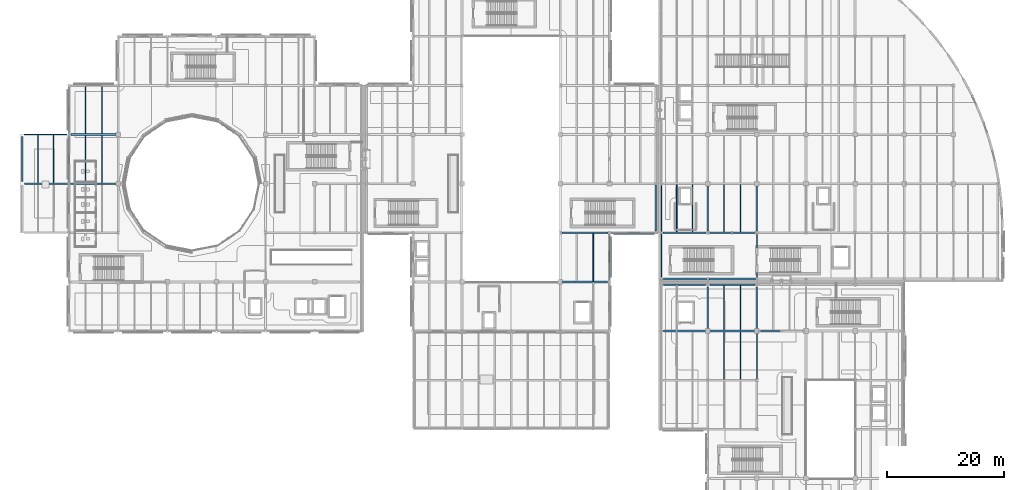
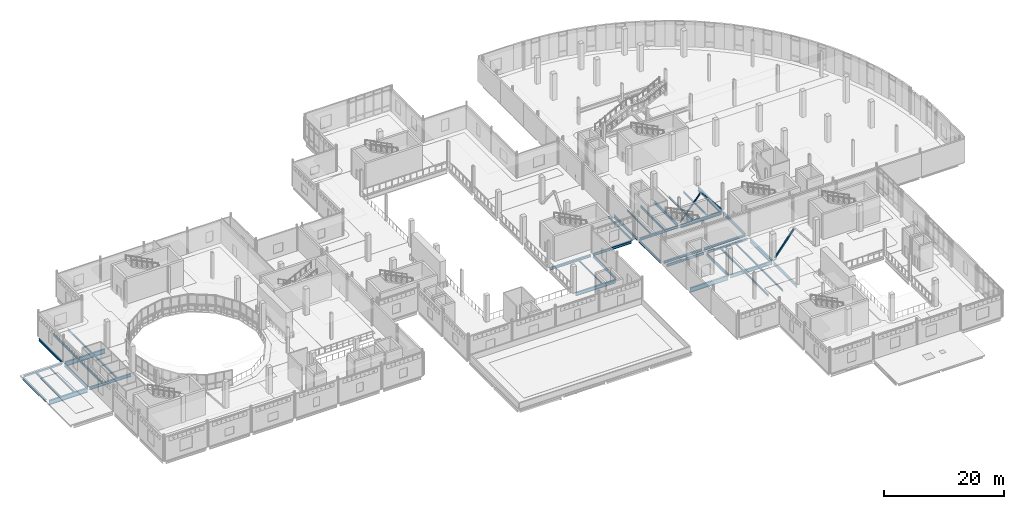
# One storey, part 20 of 110: 43 beams, 3 members.
"""IFC4 building model written with IfcOpenShell, lengths in metres."""

from ifc_helpers import new_model, si_unit, direction, frame, origin, origin_2d, place, context, subcontext, project, spatial, hollow_rectangle, i_section, extrude, material, material_profile, profile_set, type_object, element, save


model = new_model("IFC4")

# Units and contexts
model_context = context("Model", 3, precision=1e-05, world=origin(), true_north=direction((0.0, 1.0)))
body_context = subcontext(model_context, "Body", "Model", "MODEL_VIEW")
ifc_project = project(units=[si_unit("LENGTHUNIT", "METRE"), si_unit("AREAUNIT", "SQUARE_METRE"), si_unit("VOLUMEUNIT", "CUBIC_METRE"), si_unit("PLANEANGLEUNIT", "RADIAN"), si_unit("MASSUNIT", "GRAM", prefix="KILO"), si_unit("THERMODYNAMICTEMPERATUREUNIT", "KELVIN")], contexts=[model_context])

# Site, building, storey
site_placement = place(None, origin())
site = spatial("IfcSite", under=ifc_project, at=site_placement, CompositionType="ELEMENT")
building_placement = place(site_placement, origin())
building = spatial("IfcBuilding", under=site, at=building_placement, Name="Lustrewick Department Store", CompositionType="ELEMENT")
storey_placement = place(building_placement, frame((0.0, 0.0, 6.0)))
storey = spatial("IfcBuildingStorey", under=building, at=storey_placement, Name="L02", CompositionType="ELEMENT", Elevation=6.0)

# Beams
ifc_material_1 = material(Name="Structural steel Q355B", Category="steel")
ifc_material_profile_1 = material_profile(ifc_material_1, i_section(OverallWidth=0.199951171875, OverallDepth=0.5, WebThickness=0.010009765625, FlangeThickness=0.01611328125, FilletRadius=0.01611328125, at=origin_2d()), Name="HN 500x200x10x16")
ifc_profile_set_1 = profile_set([ifc_material_profile_1], Name="Structural steel Q355B")
beam_type_1 = type_object("IfcBeamType", Name="B01", PredefinedType="JOIST", material=ifc_profile_set_1)
beam_1_placement = place(storey_placement, frame((11.199951171875, 67.35107421875, -0.5048828125), z_axis=(0.0, 1.0, 0.0), x_axis=(-1.0, 0.0, 0.0)))
element("IfcBeam", 1, at=beam_1_placement, inside=storey, type_object=beam_type_1, Name="L02 V1 Secondary Joist B01", PredefinedType="JOIST", context=body_context, shape_type="SweptSolid", body=[
    extrude(i_section(OverallWidth=0.199951171875, OverallDepth=0.5, WebThickness=0.010009765625, FlangeThickness=0.01611328125, FilletRadius=0.01611328125, at=origin_2d()), origin(), (0.0, 0.0, 1.0), 8.097900390625),
])
beam_2_placement = place(storey_placement, frame((11.199951171875, 75.7509765625, -0.5048828125), z_axis=(0.0, 1.0, 0.0), x_axis=(-1.0, 0.0, 0.0)))
element("IfcBeam", 2, at=beam_2_placement, inside=storey, type_object=beam_type_1, Name="L02 V1 Secondary Joist B01", PredefinedType="JOIST", context=body_context, shape_type="SweptSolid", body=[
    extrude(i_section(OverallWidth=0.199951171875, OverallDepth=0.5, WebThickness=0.010009765625, FlangeThickness=0.01611328125, FilletRadius=0.01611328125, at=origin_2d()), origin(), (0.0, 0.0, 1.0), 8.09912109375),
])
ifc_material_profile_2 = material_profile(ifc_material_1, i_section(OverallWidth=0.198974609375, OverallDepth=0.49609375, WebThickness=0.009033203125, FlangeThickness=0.013916015625, FilletRadius=0.01611328125, at=origin_2d()), Name="HN 496x199x9x14")
ifc_profile_set_2 = profile_set([ifc_material_profile_2], Name="Structural steel Q355B")
beam_type_2 = type_object("IfcBeamType", Name="B02", PredefinedType="JOIST", material=ifc_profile_set_2)
beam_3_placement = place(storey_placement, frame((114.966796875, 58.949951171875, -0.5029296875), z_axis=(0.0, 1.0, 0.0), x_axis=(-1.0, 0.0, 0.0)))
element("IfcBeam", 3, at=beam_3_placement, inside=storey, type_object=beam_type_2, Name="L02 V4 Secondary Joist B02", PredefinedType="JOIST", context=body_context, shape_type="SweptSolid", body=[
    extrude(i_section(OverallWidth=0.198974609375, OverallDepth=0.49609375, WebThickness=0.009033203125, FlangeThickness=0.013916015625, FilletRadius=0.01611328125, at=origin_2d()), origin(), (0.0, 0.0, 1.0), 8.10009765625),
])
ifc_material_profile_3 = material_profile(ifc_material_1, i_section(OverallWidth=0.199951171875, OverallDepth=0.39990234375, WebThickness=0.008056640625, FlangeThickness=0.012939453125, FilletRadius=0.013916015625, at=origin_2d()), Name="HN 400x200x8x13")
ifc_profile_set_3 = profile_set([ifc_material_profile_3], Name="Structural steel Q355B")
beam_type_3 = type_object("IfcBeamType", Name="B05", PredefinedType="JOIST", material=ifc_profile_set_3)
beam_4_placement = place(storey_placement, frame((14.0, 67.35107421875, -0.455078125), z_axis=(0.0, 1.0, 0.0), x_axis=(-1.0, 0.0, 0.0)))
element("IfcBeam", 4, at=beam_4_placement, inside=storey, type_object=beam_type_3, Name="L02 V1 Secondary Joist B05", PredefinedType="JOIST", context=body_context, shape_type="SweptSolid", body=[
    extrude(i_section(OverallWidth=0.199951171875, OverallDepth=0.39990234375, WebThickness=0.008056640625, FlangeThickness=0.012939453125, FilletRadius=0.013916015625, at=origin_2d()), origin(), (0.0, 0.0, 1.0), 8.097900390625),
])
beam_5_placement = place(storey_placement, frame((14.0, 75.7509765625, -0.455078125), z_axis=(0.0, 1.0, 0.0), x_axis=(-1.0, 0.0, 0.0)))
element("IfcBeam", 5, at=beam_5_placement, inside=storey, type_object=beam_type_3, Name="L02 V1 Secondary Joist B05", PredefinedType="JOIST", context=body_context, shape_type="SweptSolid", body=[
    extrude(i_section(OverallWidth=0.199951171875, OverallDepth=0.39990234375, WebThickness=0.008056640625, FlangeThickness=0.012939453125, FilletRadius=0.013916015625, at=origin_2d()), origin(), (0.0, 0.0, 1.0), 8.09912109375),
])
ifc_material_profile_4 = material_profile(ifc_material_1, i_section(OverallWidth=0.198974609375, OverallDepth=0.39599609375, WebThickness=0.007080078125, FlangeThickness=0.010986328125, FilletRadius=0.013916015625, at=origin_2d()), Name="HN 396x199x7x11")
ifc_profile_set_4 = profile_set([ifc_material_profile_4], Name="Structural steel Q355B")
beam_type_4 = type_object("IfcBeamType", Name="B06", PredefinedType="JOIST", material=ifc_profile_set_4)
beam_6_placement = place(storey_placement, frame((3.066650390625, 67.35009765625, -0.452880859375), z_axis=(0.0, 1.0, 0.0), x_axis=(-1.0, 0.0, 0.0)))
element("IfcBeam", 6, at=beam_6_placement, inside=storey, type_object=beam_type_4, Name="L02 V1 Secondary Joist B06", PredefinedType="JOIST", context=body_context, shape_type="SweptSolid", body=[
    extrude(i_section(OverallWidth=0.198974609375, OverallDepth=0.39599609375, WebThickness=0.007080078125, FlangeThickness=0.010986328125, FilletRadius=0.013916015625, at=origin_2d()), origin(), (0.0, 0.0, 1.0), 8.14990234375),
])
beam_7_placement = place(storey_placement, frame((120.39990234375, 33.75, -0.452880859375), z_axis=(0.0, 1.0, 0.0), x_axis=(-1.0, 0.0, 0.0)))
element("IfcBeam", 7, at=beam_7_placement, inside=storey, type_object=beam_type_4, Name="L02 V3 Secondary Joist B06", PredefinedType="JOIST", context=body_context, shape_type="SweptSolid", body=[
    extrude(i_section(OverallWidth=0.198974609375, OverallDepth=0.39599609375, WebThickness=0.007080078125, FlangeThickness=0.010986328125, FilletRadius=0.013916015625, at=origin_2d()), origin(), (0.0, 0.0, 1.0), 8.10009765625),
])
beam_8_placement = place(storey_placement, frame((120.39990234375, 42.14990234375, -0.452880859375), z_axis=(0.0, 1.0, 0.0), x_axis=(-1.0, 0.0, 0.0)))
element("IfcBeam", 8, at=beam_8_placement, inside=storey, type_object=beam_type_4, Name="L02 V3 Secondary Joist B06", PredefinedType="JOIST", context=body_context, shape_type="SweptSolid", body=[
    extrude(i_section(OverallWidth=0.198974609375, OverallDepth=0.39599609375, WebThickness=0.007080078125, FlangeThickness=0.010986328125, FilletRadius=0.013916015625, at=origin_2d()), origin(), (0.0, 0.0, 1.0), 7.649658203125),
])
beam_9_placement = place(storey_placement, frame((120.39990234375, 58.949951171875, -0.452880859375), z_axis=(0.0, 1.0, 0.0), x_axis=(-1.0, 0.0, 0.0)))
element("IfcBeam", 9, at=beam_9_placement, inside=storey, type_object=beam_type_4, Name="L02 V4 Secondary Joist B06", PredefinedType="JOIST", context=body_context, shape_type="SweptSolid", body=[
    extrude(i_section(OverallWidth=0.198974609375, OverallDepth=0.39599609375, WebThickness=0.007080078125, FlangeThickness=0.010986328125, FilletRadius=0.013916015625, at=origin_2d()), origin(), (0.0, 0.0, 1.0), 8.10009765625),
])
ifc_material_profile_5 = material_profile(ifc_material_1, i_section(OverallWidth=0.174072265625, OverallDepth=0.345947265625, WebThickness=0.006103515625, FlangeThickness=0.009033203125, FilletRadius=0.012939453125, at=origin_2d()), Name="HN 346x174x6x9")
ifc_profile_set_5 = profile_set([ifc_material_profile_5], Name="Structural steel Q355B")
beam_type_5 = type_object("IfcBeamType", Name="B10", PredefinedType="JOIST", material=ifc_profile_set_5)
beam_10_placement = place(storey_placement, frame((5.7333984375, 67.35009765625, -0.427978515625), z_axis=(0.0, 1.0, 0.0), x_axis=(-1.0, 0.0, 0.0)))
element("IfcBeam", 10, at=beam_10_placement, inside=storey, type_object=beam_type_5, Name="L02 V1 Secondary Joist B10", PredefinedType="JOIST", context=body_context, shape_type="SweptSolid", body=[
    extrude(i_section(OverallWidth=0.174072265625, OverallDepth=0.345947265625, WebThickness=0.006103515625, FlangeThickness=0.009033203125, FilletRadius=0.012939453125, at=origin_2d()), origin(), (0.0, 0.0, 1.0), 8.14990234375),
])
beam_11_placement = place(storey_placement, frame((123.199951171875, 33.75, -0.427978515625), z_axis=(0.0, 1.0, 0.0), x_axis=(-1.0, 0.0, 0.0)))
element("IfcBeam", 11, at=beam_11_placement, inside=storey, type_object=beam_type_5, Name="L02 V3 Secondary Joist B10", PredefinedType="JOIST", context=body_context, shape_type="SweptSolid", body=[
    extrude(i_section(OverallWidth=0.174072265625, OverallDepth=0.345947265625, WebThickness=0.006103515625, FlangeThickness=0.009033203125, FilletRadius=0.012939453125, at=origin_2d()), origin(), (0.0, 0.0, 1.0), 8.10009765625),
])
beam_12_placement = place(storey_placement, frame((123.199951171875, 42.14990234375, -0.427978515625), z_axis=(0.0, 1.0, 0.0), x_axis=(-1.0, 0.0, 0.0)))
element("IfcBeam", 12, at=beam_12_placement, inside=storey, type_object=beam_type_5, Name="L02 V3 Secondary Joist B10", PredefinedType="JOIST", context=body_context, shape_type="SweptSolid", body=[
    extrude(i_section(OverallWidth=0.174072265625, OverallDepth=0.345947265625, WebThickness=0.006103515625, FlangeThickness=0.009033203125, FilletRadius=0.012939453125, at=origin_2d()), origin(), (0.0, 0.0, 1.0), 7.649658203125),
])
beam_13_placement = place(storey_placement, frame((123.199951171875, 58.949951171875, -0.427978515625), z_axis=(0.0, 1.0, 0.0), x_axis=(-1.0, 0.0, 0.0)))
element("IfcBeam", 13, at=beam_13_placement, inside=storey, type_object=beam_type_5, Name="L02 V4 Secondary Joist B10", PredefinedType="JOIST", context=body_context, shape_type="SweptSolid", body=[
    extrude(i_section(OverallWidth=0.174072265625, OverallDepth=0.345947265625, WebThickness=0.006103515625, FlangeThickness=0.009033203125, FilletRadius=0.012939453125, at=origin_2d()), origin(), (0.0, 0.0, 1.0), 8.10009765625),
])
ifc_material_profile_6 = material_profile(ifc_material_1, i_section(OverallWidth=0.14990234375, OverallDepth=0.300048828125, WebThickness=0.006591796875, FlangeThickness=0.009033203125, FilletRadius=0.011962890625, at=origin_2d()), Name="HN 300x150x6.5x9")
ifc_profile_set_6 = profile_set([ifc_material_profile_6], Name="Structural steel Q355B")
beam_type_6 = type_object("IfcBeamType", Name="B11", PredefinedType="JOIST", material=ifc_profile_set_6)
beam_14_placement = place(storey_placement, frame((98.0, 50.550048828125, -0.405029296875), z_axis=(0.0, 1.0, 0.0), x_axis=(-1.0, 0.0, 0.0)))
element("IfcBeam", 14, at=beam_14_placement, inside=storey, type_object=beam_type_6, Name="L02 V2 Secondary Joist B11", PredefinedType="JOIST", context=body_context, shape_type="SweptSolid", body=[
    extrude(i_section(OverallWidth=0.14990234375, OverallDepth=0.300048828125, WebThickness=0.006591796875, FlangeThickness=0.009033203125, FilletRadius=0.011962890625, at=origin_2d()), origin(), (0.0, 0.0, 1.0), 8.099853515625),
])
beam_15_placement = place(storey_placement, frame((112.333251953125, 58.949951171875, -0.405029296875), z_axis=(0.0, 1.0, 0.0), x_axis=(-1.0, 0.0, 0.0)))
element("IfcBeam", 15, at=beam_15_placement, inside=storey, type_object=beam_type_6, Name="L02 V4 Secondary Joist B11", PredefinedType="JOIST", context=body_context, shape_type="SweptSolid", body=[
    extrude(i_section(OverallWidth=0.14990234375, OverallDepth=0.300048828125, WebThickness=0.006591796875, FlangeThickness=0.009033203125, FilletRadius=0.011962890625, at=origin_2d()), origin(), (0.0, 0.0, 1.0), 8.10009765625),
])

# Members
ifc_material_2 = material(Name="Structural steel Q355C", Category="steel")
ifc_material_profile_7 = material_profile(ifc_material_2, hollow_rectangle(XDim=0.25, YDim=0.25, WallThickness=0.010009765625, at=origin_2d()), Name="SHS 250x250x10")
ifc_profile_set_7 = profile_set([ifc_material_profile_7], Name="Structural steel Q355C")
member_type_1 = type_object("IfcMemberType", Name="BR07", PredefinedType="BRACE", material=ifc_profile_set_7)
member_1_placement = place(storey_placement, frame((126.39990234375, 42.0, 0.14990234375), z_axis=(0.623069333518, 0.0, 0.782166609892), x_axis=(0.0, 1.0, 0.0)))
element("IfcMember", 16, at=member_1_placement, inside=storey, type_object=member_type_1, Name="L02 V3 Chevron Brace BR07", PredefinedType="BRACE", context=body_context, shape_type="SweptSolid", body=[
    extrude(hollow_rectangle(XDim=0.25, YDim=0.25, WallThickness=0.010009765625, at=origin_2d()), origin(), (0.0, 0.0, 1.0), 5.938720703125),
])
ifc_material_profile_8 = material_profile(ifc_material_1, hollow_rectangle(XDim=0.199951171875, YDim=0.199951171875, WallThickness=0.010009765625, at=origin_2d()), Name="SHS 200x200x10")
ifc_profile_set_8 = profile_set([ifc_material_profile_8], Name="Structural steel Q355B")
member_type_2 = type_object("IfcMemberType", Name="BR09", PredefinedType="BRACE", material=ifc_profile_set_8)
member_2_placement = place(storey_placement, frame((117.802490234375, 58.800048828125, 0.14990234375), z_axis=(0.642770843687, 0.0, 0.76605851115), x_axis=(0.0, 1.0, 0.0)))
element("IfcMember", 17, at=member_2_placement, inside=storey, type_object=member_type_2, Name="L02 V4 Chevron Brace BR09", PredefinedType="BRACE", context=body_context, shape_type="SweptSolid", body=[
    extrude(hollow_rectangle(XDim=0.199951171875, YDim=0.199951171875, WallThickness=0.010009765625, at=origin_2d()), origin(), (0.0, 0.0, 1.0), 6.0634765625),
])
member_3_placement = place(storey_placement, frame((125.797607421875, 58.800048828125, 0.14990234375), z_axis=(-0.642794471389, 0.0, 0.766038685415), x_axis=(0.0, -1.0, 0.0)))
element("IfcMember", 18, at=member_3_placement, inside=storey, type_object=member_type_2, Name="L02 V4 Chevron Brace BR09", PredefinedType="BRACE", context=body_context, shape_type="SweptSolid", body=[
    extrude(hollow_rectangle(XDim=0.199951171875, YDim=0.199951171875, WallThickness=0.010009765625, at=origin_2d()), origin(), (0.0, 0.0, 1.0), 6.063720703125),
])

# Beams
ifc_material_profile_9 = material_profile(ifc_material_2, i_section(OverallWidth=0.302001953125, OverallDepth=0.912109375, WebThickness=0.01806640625, FlangeThickness=0.033935546875, FilletRadius=0.02392578125, at=origin_2d()), Name="HN 912x302x18x34")
ifc_profile_set_9 = profile_set([ifc_material_profile_9], Name="Structural steel Q355C")
beam_type_7 = type_object("IfcBeamType", Name="G01", PredefinedType="BEAM", material=ifc_profile_set_9)
beam_16_placement = place(storey_placement, frame((8.72509765625, 75.60009765625, -0.7109375), z_axis=(1.0, 0.0, 0.0), x_axis=(0.0, 1.0, 0.0)))
element("IfcBeam", 19, at=beam_16_placement, inside=storey, type_object=beam_type_7, Name="L02 V1 Girder G01", PredefinedType="BEAM", context=body_context, shape_type="SweptSolid", body=[
    extrude(i_section(OverallWidth=0.302001953125, OverallDepth=0.912109375, WebThickness=0.01806640625, FlangeThickness=0.033935546875, FilletRadius=0.02392578125, at=origin_2d()), origin(), (0.0, 0.0, 1.0), 7.6748046875),
])
beam_17_placement = place(storey_placement, frame((110.02490234375, 42.0, -0.7109375), z_axis=(1.0, 0.0, 0.0), x_axis=(0.0, 1.0, 0.0)))
element("IfcBeam", 20, at=beam_17_placement, inside=storey, type_object=beam_type_7, Name="L02 V3 Girder G01", PredefinedType="BEAM", context=body_context, shape_type="SweptSolid", body=[
    extrude(i_section(OverallWidth=0.302001953125, OverallDepth=0.912109375, WebThickness=0.01806640625, FlangeThickness=0.033935546875, FilletRadius=0.02392578125, at=origin_2d()), origin(), (0.0, 0.0, 1.0), 7.375),
])
ifc_material_profile_10 = material_profile(ifc_material_2, i_section(OverallWidth=0.300048828125, OverallDepth=0.89990234375, WebThickness=0.01611328125, FlangeThickness=0.028076171875, FilletRadius=0.02392578125, at=origin_2d()), Name="HN 900x300x16x28")
ifc_profile_set_10 = profile_set([ifc_material_profile_10], Name="Structural steel Q355C")
beam_type_8 = type_object("IfcBeamType", Name="G02", PredefinedType="BEAM", material=ifc_profile_set_10)
beam_18_placement = place(storey_placement, frame((0.75, 67.199951171875, -0.705078125), z_axis=(1.0, 0.0, 0.0), x_axis=(0.0, 1.0, 0.0)))
element("IfcBeam", 21, at=beam_18_placement, inside=storey, type_object=beam_type_8, Name="L02 V1 Girder G02", PredefinedType="BEAM", context=body_context, shape_type="SweptSolid", body=[
    extrude(i_section(OverallWidth=0.300048828125, OverallDepth=0.89990234375, WebThickness=0.01611328125, FlangeThickness=0.028076171875, FilletRadius=0.02392578125, at=origin_2d()), origin(), (0.0, 0.0, 1.0), 7.449951171875),
])
ifc_material_profile_11 = material_profile(ifc_material_1, i_section(OverallWidth=0.300048828125, OverallDepth=0.800048828125, WebThickness=0.013916015625, FlangeThickness=0.02587890625, FilletRadius=0.02197265625, at=origin_2d()), Name="HN 800x300x14x26")
ifc_profile_set_11 = profile_set([ifc_material_profile_11], Name="Structural steel Q355B")
beam_type_9 = type_object("IfcBeamType", Name="G05", PredefinedType="BEAM", material=ifc_profile_set_11)
beam_19_placement = place(storey_placement, frame((126.0, 42.199951171875, -0.655029296875), z_axis=(0.0, 1.0, 0.0), x_axis=(-1.0, 0.0, 0.0)))
element("IfcBeam", 22, at=beam_19_placement, inside=storey, type_object=beam_type_9, Name="L02 V3 Girder G05", PredefinedType="BEAM", context=body_context, shape_type="SweptSolid", body=[
    extrude(i_section(OverallWidth=0.300048828125, OverallDepth=0.800048828125, WebThickness=0.013916015625, FlangeThickness=0.02587890625, FilletRadius=0.02197265625, at=origin_2d()), origin(), (0.0, 0.0, 1.0), 7.35009765625),
])
beam_20_placement = place(storey_placement, frame((126.0, 59.10009765625, -0.655029296875), z_axis=(0.0, 1.0, 0.0), x_axis=(-1.0, 0.0, 0.0)))
element("IfcBeam", 23, at=beam_20_placement, inside=storey, type_object=beam_type_9, Name="L02 V4 Girder G05", PredefinedType="BEAM", context=body_context, shape_type="SweptSolid", body=[
    extrude(i_section(OverallWidth=0.300048828125, OverallDepth=0.800048828125, WebThickness=0.013916015625, FlangeThickness=0.02587890625, FilletRadius=0.02197265625, at=origin_2d()), origin(), (0.0, 0.0, 1.0), 7.89990234375),
])
ifc_material_profile_12 = material_profile(ifc_material_1, i_section(OverallWidth=0.300048828125, OverallDepth=0.699951171875, WebThickness=0.012939453125, FlangeThickness=0.02392578125, FilletRadius=0.02001953125, at=origin_2d()), Name="HN 700x300x13x24")
ifc_profile_set_12 = profile_set([ifc_material_profile_12], Name="Structural steel Q355B")
beam_type_10 = type_object("IfcBeamType", Name="G08", PredefinedType="BEAM", material=ifc_profile_set_12)
beam_21_placement = place(storey_placement, frame((117.89990234375, 58.800048828125, -0.60498046875), z_axis=(1.0, 0.0, 0.0), x_axis=(0.0, 1.0, 0.0)))
element("IfcBeam", 24, at=beam_21_placement, inside=storey, type_object=beam_type_10, Name="L02 V4 Girder G08", PredefinedType="BEAM", context=body_context, shape_type="SweptSolid", body=[
    extrude(i_section(OverallWidth=0.300048828125, OverallDepth=0.699951171875, WebThickness=0.012939453125, FlangeThickness=0.02392578125, FilletRadius=0.02001953125, at=origin_2d()), origin(), (0.0, 0.0, 1.0), 7.800048828125),
])
ifc_material_profile_13 = material_profile(ifc_material_1, i_section(OverallWidth=0.300048828125, OverallDepth=0.69189453125, WebThickness=0.012939453125, FlangeThickness=0.02001953125, FilletRadius=0.02001953125, at=origin_2d()), Name="HN 692x300x13x20")
ifc_profile_set_13 = profile_set([ifc_material_profile_13], Name="Structural steel Q355B")
beam_type_11 = type_object("IfcBeamType", Name="G09", PredefinedType="BEAM", material=ifc_profile_set_13)
beam_22_placement = place(storey_placement, frame((92.800048828125, 50.39990234375, -0.60107421875), z_axis=(1.0, 0.0, 0.0), x_axis=(0.0, 1.0, 0.0)))
element("IfcBeam", 25, at=beam_22_placement, inside=storey, type_object=beam_type_11, Name="L02 V2 Girder G09", PredefinedType="BEAM", context=body_context, shape_type="SweptSolid", body=[
    extrude(i_section(OverallWidth=0.300048828125, OverallDepth=0.69189453125, WebThickness=0.012939453125, FlangeThickness=0.02001953125, FilletRadius=0.02001953125, at=origin_2d()), origin(), (0.0, 0.0, 1.0), 7.675048828125),
])
beam_23_placement = place(storey_placement, frame((117.800048828125, 42.0, -0.60107421875), z_axis=(1.0, 0.0, 0.0), x_axis=(0.0, 1.0, 0.0)))
element("IfcBeam", 26, at=beam_23_placement, inside=storey, type_object=beam_type_11, Name="L02 V3 Girder G09", PredefinedType="BEAM", context=body_context, shape_type="SweptSolid", body=[
    extrude(i_section(OverallWidth=0.300048828125, OverallDepth=0.69189453125, WebThickness=0.012939453125, FlangeThickness=0.02001953125, FilletRadius=0.02001953125, at=origin_2d()), origin(), (0.0, 0.0, 1.0), 8.0),
])
ifc_material_profile_14 = material_profile(ifc_material_1, i_section(OverallWidth=0.302001953125, OverallDepth=0.593994140625, WebThickness=0.013916015625, FlangeThickness=0.02294921875, FilletRadius=0.02392578125, at=origin_2d()), Name="HM 594x302x14x23")
ifc_profile_set_14 = profile_set([ifc_material_profile_14], Name="Structural steel Q355B")
beam_type_12 = type_object("IfcBeamType", Name="G10", PredefinedType="BEAM", material=ifc_profile_set_14)
beam_24_placement = place(storey_placement, frame((8.60009765625, 67.199951171875, -0.552001953125), z_axis=(1.0, 0.0, 0.0), x_axis=(0.0, 1.0, 0.0)))
element("IfcBeam", 27, at=beam_24_placement, inside=storey, type_object=beam_type_12, Name="L02 V1 Girder G10", PredefinedType="BEAM", context=body_context, shape_type="SweptSolid", body=[
    extrude(i_section(OverallWidth=0.302001953125, OverallDepth=0.593994140625, WebThickness=0.013916015625, FlangeThickness=0.02294921875, FilletRadius=0.02392578125, at=origin_2d()), origin(), (0.0, 0.0, 1.0), 8.0),
])
ifc_material_profile_15 = material_profile(ifc_material_1, i_section(OverallWidth=0.200927734375, OverallDepth=0.60595703125, WebThickness=0.011962890625, FlangeThickness=0.02001953125, FilletRadius=0.01806640625, at=origin_2d()), Name="HN 606x201x12x20")
ifc_profile_set_15 = profile_set([ifc_material_profile_15], Name="Structural steel Q355B")
beam_type_13 = type_object("IfcBeamType", Name="G13", PredefinedType="BEAM", material=ifc_profile_set_15)
beam_25_placement = place(storey_placement, frame((117.60009765625, 59.10009765625, -0.55810546875), z_axis=(0.0, 1.0, 0.0), x_axis=(-1.0, 0.0, 0.0)))
element("IfcBeam", 28, at=beam_25_placement, inside=storey, type_object=beam_type_13, Name="L02 V4 Girder G13", PredefinedType="BEAM", context=body_context, shape_type="SweptSolid", body=[
    extrude(i_section(OverallWidth=0.200927734375, OverallDepth=0.60595703125, WebThickness=0.011962890625, FlangeThickness=0.02001953125, FilletRadius=0.01806640625, at=origin_2d()), origin(), (0.0, 0.0, 1.0), 7.89990234375),
])
ifc_material_profile_16 = material_profile(ifc_material_1, i_section(OverallWidth=0.199951171875, OverallDepth=0.60009765625, WebThickness=0.010986328125, FlangeThickness=0.01708984375, FilletRadius=0.01806640625, at=origin_2d()), Name="HN 600x200x11x17")
ifc_profile_set_16 = profile_set([ifc_material_profile_16], Name="Structural steel Q355B")
beam_type_14 = type_object("IfcBeamType", Name="G14", PredefinedType="BEAM", material=ifc_profile_set_16)
beam_26_placement = place(storey_placement, frame((117.60009765625, 42.199951171875, -0.554931640625), z_axis=(0.0, 1.0, 0.0), x_axis=(-1.0, 0.0, 0.0)))
element("IfcBeam", 29, at=beam_26_placement, inside=storey, type_object=beam_type_14, Name="L02 V3 Girder G14", PredefinedType="BEAM", context=body_context, shape_type="SweptSolid", body=[
    extrude(i_section(OverallWidth=0.199951171875, OverallDepth=0.60009765625, WebThickness=0.010986328125, FlangeThickness=0.01708984375, FilletRadius=0.01806640625, at=origin_2d()), origin(), (0.0, 0.0, 1.0), 7.35009765625),
])
beam_27_placement = place(storey_placement, frame((126.0, 33.806884765625, -0.554931640625), z_axis=(0.0, 1.0, 0.0), x_axis=(-1.0, 0.0, 0.0)))
element("IfcBeam", 30, at=beam_27_placement, inside=storey, type_object=beam_type_14, Name="L02 V3 Girder G14", PredefinedType="BEAM", context=body_context, shape_type="SweptSolid", body=[
    extrude(i_section(OverallWidth=0.199951171875, OverallDepth=0.60009765625, WebThickness=0.010986328125, FlangeThickness=0.01708984375, FilletRadius=0.01806640625, at=origin_2d()), origin(), (0.0, 0.0, 1.0), 7.9931640625),
])
beam_28_placement = place(storey_placement, frame((126.0, 51.12841796875, -0.554931640625), z_axis=(0.0, 1.0, 0.0), x_axis=(-1.0, 0.0, 0.0)))
element("IfcBeam", 31, at=beam_28_placement, inside=storey, type_object=beam_type_14, Name="L02 V4 Girder G14", PredefinedType="BEAM", context=body_context, shape_type="SweptSolid", body=[
    extrude(i_section(OverallWidth=0.199951171875, OverallDepth=0.60009765625, WebThickness=0.010986328125, FlangeThickness=0.01708984375, FilletRadius=0.01806640625, at=origin_2d()), origin(), (0.0, 0.0, 1.0), 7.37158203125),
])
ifc_material_profile_17 = material_profile(ifc_material_1, i_section(OverallWidth=0.198974609375, OverallDepth=0.595947265625, WebThickness=0.010009765625, FlangeThickness=0.014892578125, FilletRadius=0.01806640625, at=origin_2d()), Name="HN 596x199x10x15")
ifc_profile_set_17 = profile_set([ifc_material_profile_17], Name="Structural steel Q355B")
beam_type_15 = type_object("IfcBeamType", Name="G15", PredefinedType="BEAM", material=ifc_profile_set_17)
beam_29_placement = place(storey_placement, frame((8.39990234375, 67.39990234375, -0.552978515625), z_axis=(0.0, 1.0, 0.0), x_axis=(-1.0, 0.0, 0.0)))
element("IfcBeam", 32, at=beam_29_placement, inside=storey, type_object=beam_type_15, Name="L02 V1 Girder G15", PredefinedType="BEAM", context=body_context, shape_type="SweptSolid", body=[
    extrude(i_section(OverallWidth=0.198974609375, OverallDepth=0.595947265625, WebThickness=0.010009765625, FlangeThickness=0.014892578125, FilletRadius=0.01806640625, at=origin_2d()), origin(), (0.0, 0.0, 1.0), 7.875),
])
ifc_material_profile_18 = material_profile(ifc_material_1, i_section(OverallWidth=0.300048828125, OverallDepth=0.48193359375, WebThickness=0.010986328125, FlangeThickness=0.014892578125, FilletRadius=0.02197265625, at=origin_2d()), Name="HM 482x300x11x15")
ifc_profile_set_18 = profile_set([ifc_material_profile_18], Name="Structural steel Q355B")
beam_type_16 = type_object("IfcBeamType", Name="G20", PredefinedType="BEAM", material=ifc_profile_set_18)
beam_30_placement = place(storey_placement, frame((92.699951171875, 58.800048828125, -0.49609375), z_axis=(1.0, 0.0, 0.0), x_axis=(0.0, 1.0, 0.0)))
element("IfcBeam", 33, at=beam_30_placement, inside=storey, type_object=beam_type_16, Name="L02 V2 Girder G20", PredefinedType="BEAM", context=body_context, shape_type="SweptSolid", body=[
    extrude(i_section(OverallWidth=0.300048828125, OverallDepth=0.48193359375, WebThickness=0.010986328125, FlangeThickness=0.014892578125, FilletRadius=0.02197265625, at=origin_2d()), origin(), (0.0, 0.0, 1.0), 7.845947265625),
])
beam_31_placement = place(storey_placement, frame((109.928466796875, 58.800048828125, -0.49609375), z_axis=(1.0, 0.0, 0.0), x_axis=(0.0, 1.0, 0.0)))
element("IfcBeam", 34, at=beam_31_placement, inside=storey, type_object=beam_type_16, Name="L02 V4 Girder G20", PredefinedType="BEAM", context=body_context, shape_type="SweptSolid", body=[
    extrude(i_section(OverallWidth=0.300048828125, OverallDepth=0.48193359375, WebThickness=0.010986328125, FlangeThickness=0.014892578125, FilletRadius=0.02197265625, at=origin_2d()), origin(), (0.0, 0.0, 1.0), 7.37158203125),
])
ifc_material_profile_19 = material_profile(ifc_material_1, i_section(OverallWidth=0.200927734375, OverallDepth=0.506103515625, WebThickness=0.010986328125, FlangeThickness=0.01904296875, FilletRadius=0.01611328125, at=origin_2d()), Name="HN 506x201x11x19")
ifc_profile_set_19 = profile_set([ifc_material_profile_19], Name="Structural steel Q355B")
beam_type_17 = type_object("IfcBeamType", Name="SP01", PredefinedType="SPANDREL", material=ifc_profile_set_19)
beam_32_placement = place(storey_placement, frame((8.39990234375, 75.925048828125, -0.508056640625), z_axis=(0.0, 1.0, 0.0), x_axis=(-1.0, 0.0, 0.0)))
element("IfcBeam", 35, at=beam_32_placement, inside=storey, type_object=beam_type_17, Name="L02 V1 Girder SP01", PredefinedType="SPANDREL", context=body_context, shape_type="SweptSolid", body=[
    extrude(i_section(OverallWidth=0.200927734375, OverallDepth=0.506103515625, WebThickness=0.010986328125, FlangeThickness=0.01904296875, FilletRadius=0.01611328125, at=origin_2d()), origin(), (0.0, 0.0, 1.0), 7.821044921875),
])
beam_33_placement = place(storey_placement, frame((101.053955078125, 58.800048828125, -0.508056640625), z_axis=(1.0, 0.0, 0.0), x_axis=(0.0, 1.0, 0.0)))
element("IfcBeam", 36, at=beam_33_placement, inside=storey, type_object=beam_type_17, Name="L02 V2 Girder SP01", PredefinedType="SPANDREL", context=body_context, shape_type="SweptSolid", body=[
    extrude(i_section(OverallWidth=0.200927734375, OverallDepth=0.506103515625, WebThickness=0.010986328125, FlangeThickness=0.01904296875, FilletRadius=0.01611328125, at=origin_2d()), origin(), (0.0, 0.0, 1.0), 7.321044921875),
])
beam_34_placement = place(storey_placement, frame((100.800048828125, 50.72509765625, -0.508056640625), z_axis=(0.0, 1.0, 0.0), x_axis=(-1.0, 0.0, 0.0)))
element("IfcBeam", 37, at=beam_34_placement, inside=storey, type_object=beam_type_17, Name="L02 V2 Girder SP01", PredefinedType="SPANDREL", context=body_context, shape_type="SweptSolid", body=[
    extrude(i_section(OverallWidth=0.200927734375, OverallDepth=0.506103515625, WebThickness=0.010986328125, FlangeThickness=0.01904296875, FilletRadius=0.01611328125, at=origin_2d()), origin(), (0.0, 0.0, 1.0), 7.82080078125),
])
beam_35_placement = place(storey_placement, frame((110.02490234375, 49.89990234375, -0.508056640625), z_axis=(1.0, 0.0, 0.0), x_axis=(0.0, 1.0, 0.0)))
element("IfcBeam", 38, at=beam_35_placement, inside=storey, type_object=beam_type_17, Name="L02 V3 Girder SP01", PredefinedType="SPANDREL", context=body_context, shape_type="SweptSolid", body=[
    extrude(i_section(OverallWidth=0.200927734375, OverallDepth=0.506103515625, WebThickness=0.010986328125, FlangeThickness=0.01904296875, FilletRadius=0.01611328125, at=origin_2d()), origin(), (0.0, 0.0, 1.0), 7.22509765625),
])
beam_36_placement = place(storey_placement, frame((117.949951171875, 49.89990234375, -0.508056640625), z_axis=(1.0, 0.0, 0.0), x_axis=(0.0, 1.0, 0.0)))
element("IfcBeam", 39, at=beam_36_placement, inside=storey, type_object=beam_type_17, Name="L02 V3 Girder SP01", PredefinedType="SPANDREL", context=body_context, shape_type="SweptSolid", body=[
    extrude(i_section(OverallWidth=0.200927734375, OverallDepth=0.506103515625, WebThickness=0.010986328125, FlangeThickness=0.01904296875, FilletRadius=0.01611328125, at=origin_2d()), origin(), (0.0, 0.0, 1.0), 7.699951171875),
])
beam_37_placement = place(storey_placement, frame((109.699951171875, 51.25, -0.508056640625), z_axis=(0.0, 1.0, 0.0), x_axis=(-1.0, 0.0, 0.0)))
element("IfcBeam", 40, at=beam_37_placement, inside=storey, type_object=beam_type_17, Name="L02 V4 Girder SP01", PredefinedType="SPANDREL", context=body_context, shape_type="SweptSolid", body=[
    extrude(i_section(OverallWidth=0.200927734375, OverallDepth=0.506103515625, WebThickness=0.010986328125, FlangeThickness=0.01904296875, FilletRadius=0.01611328125, at=origin_2d()), origin(), (0.0, 0.0, 1.0), 7.321533203125),
])
beam_38_placement = place(storey_placement, frame((109.699951171875, 59.028564453125, -0.508056640625), z_axis=(0.0, 1.0, 0.0), x_axis=(-1.0, 0.0, 0.0)))
element("IfcBeam", 41, at=beam_38_placement, inside=storey, type_object=beam_type_17, Name="L02 V4 Girder SP01", PredefinedType="SPANDREL", context=body_context, shape_type="SweptSolid", body=[
    extrude(i_section(OverallWidth=0.200927734375, OverallDepth=0.506103515625, WebThickness=0.010986328125, FlangeThickness=0.01904296875, FilletRadius=0.01611328125, at=origin_2d()), origin(), (0.0, 0.0, 1.0), 7.846435546875),
])
ifc_material_profile_20 = material_profile(ifc_material_1, i_section(OverallWidth=0.300048828125, OverallDepth=0.43994140625, WebThickness=0.010986328125, FlangeThickness=0.01806640625, FilletRadius=0.02001953125, at=origin_2d()), Name="HM 440x300x11x18")
ifc_profile_set_20 = profile_set([ifc_material_profile_20], Name="Structural steel Q355B")
beam_type_18 = type_object("IfcBeamType", Name="SP02", PredefinedType="SPANDREL", material=ifc_profile_set_20)
beam_39_placement = place(storey_placement, frame((0.39990234375, 67.550048828125, -0.47509765625), z_axis=(0.0, 1.0, 0.0), x_axis=(-1.0, 0.0, 0.0)))
element("IfcBeam", 42, at=beam_39_placement, inside=storey, type_object=beam_type_18, Name="L02 V1 Girder SP02", PredefinedType="SPANDREL", context=body_context, shape_type="SweptSolid", body=[
    extrude(i_section(OverallWidth=0.300048828125, OverallDepth=0.43994140625, WebThickness=0.010986328125, FlangeThickness=0.01806640625, FilletRadius=0.02001953125, at=origin_2d()), origin(), (0.0, 0.0, 1.0), 7.724853515625),
])
beam_40_placement = place(storey_placement, frame((110.050048828125, 50.89990234375, -0.47509765625), z_axis=(1.0, 0.0, 0.0), x_axis=(0.0, 1.0, 0.0)))
element("IfcBeam", 43, at=beam_40_placement, inside=storey, type_object=beam_type_18, Name="L02 V4 Girder SP02", PredefinedType="SPANDREL", context=body_context, shape_type="SweptSolid", body=[
    extrude(i_section(OverallWidth=0.300048828125, OverallDepth=0.43994140625, WebThickness=0.010986328125, FlangeThickness=0.01806640625, FilletRadius=0.02001953125, at=origin_2d()), origin(), (0.0, 0.0, 1.0), 7.321533203125),
])
beam_41_placement = place(storey_placement, frame((117.82861328125, 50.89990234375, -0.47509765625), z_axis=(1.0, 0.0, 0.0), x_axis=(0.0, 1.0, 0.0)))
element("IfcBeam", 44, at=beam_41_placement, inside=storey, type_object=beam_type_18, Name="L02 V4 Girder SP02", PredefinedType="SPANDREL", context=body_context, shape_type="SweptSolid", body=[
    extrude(i_section(OverallWidth=0.300048828125, OverallDepth=0.43994140625, WebThickness=0.010986328125, FlangeThickness=0.01806640625, FilletRadius=0.02001953125, at=origin_2d()), origin(), (0.0, 0.0, 1.0), 7.94287109375),
])
ifc_material_profile_21 = material_profile(ifc_material_2, hollow_rectangle(XDim=0.199951171875, YDim=0.35009765625, WallThickness=0.011962890625, at=origin_2d()), Name="RHS 350x200x12")
ifc_profile_set_21 = profile_set([ifc_material_profile_21], Name="Structural steel Q355C")
beam_type_19 = type_object("IfcBeamType", Name="SP03", PredefinedType="SPANDREL", material=ifc_profile_set_21)
beam_42_placement = place(storey_placement, frame((0.72509765625, 75.60009765625, -0.429931640625), z_axis=(1.0, 0.0, 0.0), x_axis=(0.0, 1.0, 0.0)))
element("IfcBeam", 45, at=beam_42_placement, inside=storey, type_object=beam_type_19, Name="L02 V1 Girder SP03", PredefinedType="SPANDREL", context=body_context, shape_type="SweptSolid", body=[
    extrude(hollow_rectangle(XDim=0.199951171875, YDim=0.35009765625, WallThickness=0.011962890625, at=origin_2d()), origin(), (0.0, 0.0, 1.0), 7.349853515625),
])
beam_43_placement = place(storey_placement, frame((108.699951171875, 59.125, -0.429931640625), z_axis=(0.0, 1.0, 0.0), x_axis=(-1.0, 0.0, 0.0)))
element("IfcBeam", 46, at=beam_43_placement, inside=storey, type_object=beam_type_19, Name="L02 V2 Girder SP03", PredefinedType="SPANDREL", context=body_context, shape_type="SweptSolid", body=[
    extrude(hollow_rectangle(XDim=0.199951171875, YDim=0.35009765625, WallThickness=0.011962890625, at=origin_2d()), origin(), (0.0, 0.0, 1.0), 7.846435546875),
])

save(model, "model.ifc")
